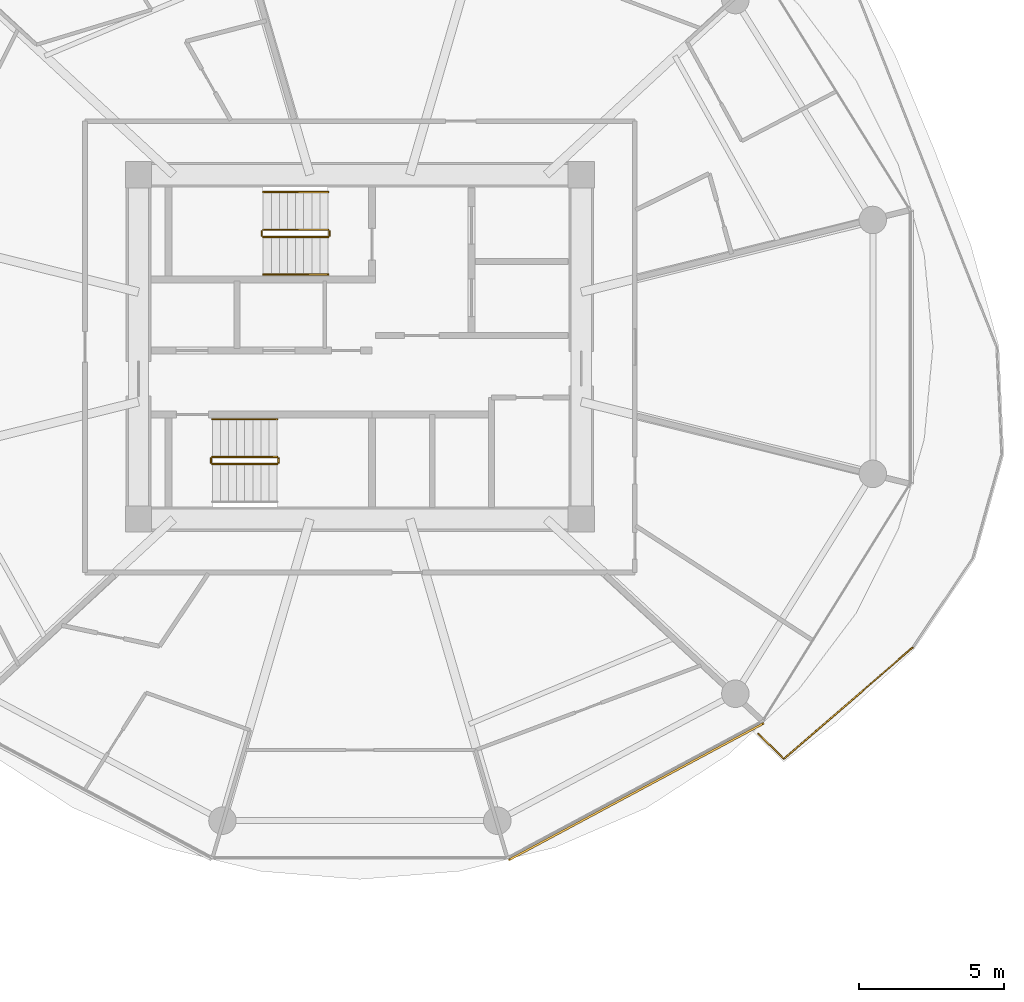
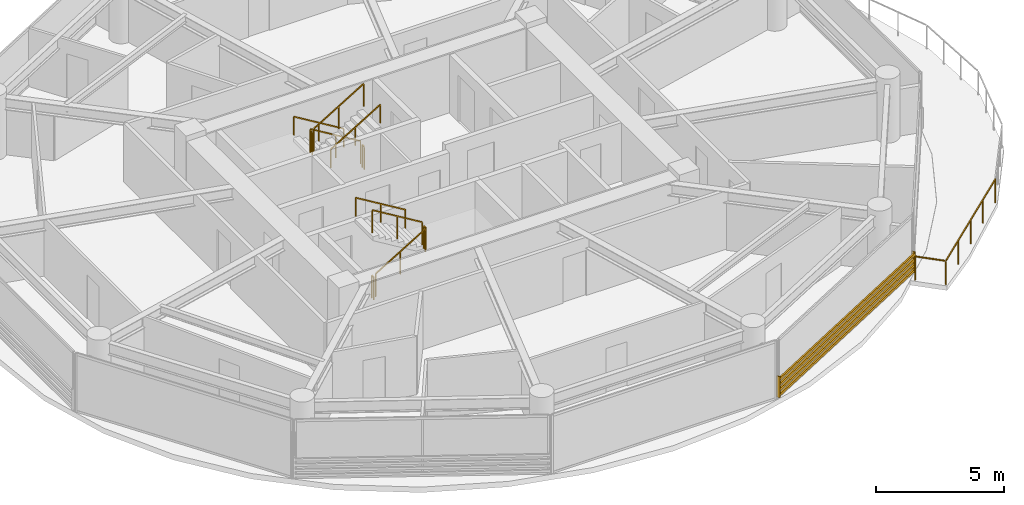
# One storey, part 26 of 27: 12 railings, 1 shading device.
"""IFC4 building model written with IfcOpenShell, lengths in metres."""

from ifc_helpers import new_model, si_unit, direction, frame, origin, origin_2d, place, context, subcontext, project, spatial, rectangle, extrude, source, transform, mapped, material, type_object, type_shapes, element, save


model = new_model("IFC4")

# Units and contexts
model_context = context("Model", 3, precision=1e-05, world=origin(), true_north=direction((0.0, 1.0)))
body_context = subcontext(model_context, "Body", "Model", "MODEL_VIEW")
ifc_project = project(units=[si_unit("LENGTHUNIT", "METRE"), si_unit("AREAUNIT", "SQUARE_METRE"), si_unit("VOLUMEUNIT", "CUBIC_METRE"), si_unit("PLANEANGLEUNIT", "RADIAN"), si_unit("MASSUNIT", "GRAM", prefix="KILO")], contexts=[model_context])

# Site, building, storey
site_placement = place(None, origin())
site = spatial("IfcSite", under=ifc_project, at=site_placement, CompositionType="ELEMENT")
building_placement = place(site_placement, origin())
building = spatial("IfcBuilding", under=site, at=building_placement, Name="Norrkilde Senior Care Towers", CompositionType="ELEMENT")
storey_placement = place(building_placement, frame((0.0, 0.0, 46.0)))
storey = spatial("IfcBuildingStorey", under=building, at=storey_placement, Name="L13", CompositionType="ELEMENT", Elevation=46.0)

# Railings
ifc_material_1 = material(Name="Anodised Aluminium", Category="aluminium")
railing_type_1 = type_object("IfcRailingType", Name="Balcony Swirl Ribbon Guardrail 1150", PredefinedType="GUARDRAIL", material=ifc_material_1)
railing_1_placement = place(storey_placement, frame((47.094482421875, -10.3955078125, 0.0)))
element("IfcRailing", 1, at=railing_1_placement, inside=storey, type_object=railing_type_1, Name="L13 Perimeter Safety Guard 01", PredefinedType="GUARDRAIL", context=body_context, shape_type="SweptSolid", body=[
    extrude(rectangle(XDim=0.048095703125, YDim=0.048095703125, at=origin_2d()), frame((0.0, 0.0, 1.1259765625), z_axis=(-0.756518232519, -0.65397260177, 0.0), x_axis=(0.65397260177, -0.756518232519, 0.0)), (0.0, 0.0, 1.0), 5.83251953125),
    extrude(rectangle(XDim=0.048095703125, YDim=0.048095703125, at=origin_2d()), frame((-4.47265625, -3.8125, 1.1259765625), z_axis=(-0.714384804286, 0.699753064591, 0.0), x_axis=(-0.699753064591, -0.714384804286, 0.0)), (0.0, 0.0, 1.0), 1.19384765625),
    extrude(rectangle(XDim=0.0419921875, YDim=0.0419921875, at=origin_2d()), origin(), (0.0, 0.0, 1.0), 1.099853515625),
    extrude(rectangle(XDim=0.0419921875, YDim=0.0419921875, at=origin_2d()), frame((-1.11083984375, -0.960205078125, 0.0)), (0.0, 0.0, 1.0), 1.099853515625),
    extrude(rectangle(XDim=0.0419921875, YDim=0.0419921875, at=origin_2d()), frame((-2.2216796875, -1.92041015625, 0.0)), (0.0, 0.0, 1.0), 1.099853515625),
    extrude(rectangle(XDim=0.0419921875, YDim=0.0419921875, at=origin_2d()), frame((-3.33251953125, -2.880859375, 0.0)), (0.0, 0.0, 1.0), 1.099853515625),
    extrude(rectangle(XDim=0.0419921875, YDim=0.0419921875, at=origin_2d()), frame((-4.443359375, -3.841064453125, 0.0)), (0.0, 0.0, 1.0), 1.099853515625),
    extrude(rectangle(XDim=0.0419921875, YDim=0.0419921875, at=origin_2d()), frame((-5.325439453125, -2.97705078125, 0.0)), (0.0, 0.0, 1.0), 1.099853515625),
])
ifc_material_2 = material(Name="Stainless Steel", Category="steel")
railing_type_2 = type_object("IfcRailingType", Name="Stair and Terrace Guardrail 1100", PredefinedType="GUARDRAIL", material=ifc_material_2)
railing_2_placement = place(storey_placement, frame((26.89990234375, 4.050048828125, 0.16943359375)))
element("IfcRailing", 2, at=railing_2_placement, inside=storey, type_object=railing_type_2, Name="L13 ST-E1 stair guard 1", PredefinedType="GUARDRAIL", context=body_context, shape_type="SweptSolid", body=[
    extrude(rectangle(XDim=0.048095703125, YDim=0.048095703125, at=origin_2d()), frame((0.0, 0.0, 1.076171875), z_axis=(-0.855553338991, 0.0, 0.51771467445), x_axis=(0.0, -1.0, 0.0)), (0.0, 0.0, 1.0), 2.6181640625),
    extrude(rectangle(XDim=0.0419921875, YDim=0.0419921875, at=origin_2d()), origin(), (0.0, 0.0, 1.0), 1.050048828125),
    extrude(rectangle(XDim=0.0419921875, YDim=0.0419921875, at=origin_2d()), frame((-1.1201171875, 0.0, 0.677734375)), (0.0, 0.0, 1.0), 1.050048828125),
    extrude(rectangle(XDim=0.0419921875, YDim=0.0419921875, at=origin_2d()), frame((-2.239990234375, 0.0, 1.35546875)), (0.0, 0.0, 1.0), 1.050048828125),
])
railing_3_placement = place(storey_placement, frame((24.610107421875, 4.0, 1.52490234375)))
element("IfcRailing", 3, at=railing_3_placement, inside=storey, type_object=railing_type_2, Name="L13 ST-E1 stair guard 2", PredefinedType="GUARDRAIL", context=body_context, shape_type="SweptSolid", body=[
    extrude(rectangle(XDim=0.048095703125, YDim=0.048095703125, at=origin_2d()), frame((0.0, 0.0, 1.076171875), z_axis=(0.0, -1.0, 0.0), x_axis=(1.0, 0.0, 0.0)), (0.0, 0.0, 1.0), 0.14990234375),
    extrude(rectangle(XDim=0.0419921875, YDim=0.0419921875, at=origin_2d()), origin(), (0.0, 0.0, 1.0), 1.050048828125),
    extrude(rectangle(XDim=0.0419921875, YDim=0.0419921875, at=origin_2d()), frame((0.0, -0.14990234375, 0.0)), (0.0, 0.0, 1.0), 1.050048828125),
])
railing_4_placement = place(storey_placement, frame((24.659912109375, 3.800048828125, 1.6943359375)))
element("IfcRailing", 4, at=railing_4_placement, inside=storey, type_object=railing_type_2, Name="L13 ST-E1 stair guard 3", PredefinedType="GUARDRAIL", context=body_context, shape_type="SweptSolid", body=[
    extrude(rectangle(XDim=0.048095703125, YDim=0.048095703125, at=origin_2d()), frame((0.0, 0.0, 1.076171875), z_axis=(0.855512035549, 0.0, 0.517782924622), x_axis=(0.0, 1.0, 0.0)), (0.0, 0.0, 1.0), 2.618408203125),
    extrude(rectangle(XDim=0.0419921875, YDim=0.0419921875, at=origin_2d()), origin(), (0.0, 0.0, 1.0), 1.050048828125),
    extrude(rectangle(XDim=0.0419921875, YDim=0.0419921875, at=origin_2d()), frame((1.1201171875, 0.0, 0.677734375)), (0.0, 0.0, 1.0), 1.050048828125),
    extrude(rectangle(XDim=0.0419921875, YDim=0.0419921875, at=origin_2d()), frame((2.239990234375, 0.0, 1.355712890625)), (0.0, 0.0, 1.0), 1.050048828125),
])
railing_5_placement = place(storey_placement, frame((26.949951171875, 4.0, 0.0)))
element("IfcRailing", 5, at=railing_5_placement, inside=storey, type_object=railing_type_2, Name="L13 ST-E1 stair guard 4", PredefinedType="GUARDRAIL", context=body_context, shape_type="SweptSolid", body=[
    extrude(rectangle(XDim=0.048095703125, YDim=0.048095703125, at=origin_2d()), frame((0.0, 0.0, 1.076171875), z_axis=(0.0, -1.0, 0.0), x_axis=(1.0, 0.0, 0.0)), (0.0, 0.0, 1.0), 0.14990234375),
    extrude(rectangle(XDim=0.0419921875, YDim=0.0419921875, at=origin_2d()), origin(), (0.0, 0.0, 1.0), 1.050048828125),
    extrude(rectangle(XDim=0.0419921875, YDim=0.0419921875, at=origin_2d()), frame((0.0, -0.14990234375, 0.0)), (0.0, 0.0, 1.0), 1.050048828125),
])
railing_6_placement = place(storey_placement, frame((22.89990234375, -4.050048828125, 0.16943359375)))
element("IfcRailing", 6, at=railing_6_placement, inside=storey, type_object=railing_type_2, Name="L13 ST-E2 stair guard 1", PredefinedType="GUARDRAIL", context=body_context, shape_type="SweptSolid", body=[
    extrude(rectangle(XDim=0.048095703125, YDim=0.048095703125, at=origin_2d()), frame((0.0, 0.0, 1.076171875), z_axis=(0.855553338991, 0.0, 0.51771467445), x_axis=(0.0, 1.0, 0.0)), (0.0, 0.0, 1.0), 2.6181640625),
    extrude(rectangle(XDim=0.0419921875, YDim=0.0419921875, at=origin_2d()), origin(), (0.0, 0.0, 1.0), 1.050048828125),
    extrude(rectangle(XDim=0.0419921875, YDim=0.0419921875, at=origin_2d()), frame((1.1201171875, 0.0, 0.677734375)), (0.0, 0.0, 1.0), 1.050048828125),
    extrude(rectangle(XDim=0.0419921875, YDim=0.0419921875, at=origin_2d()), frame((2.239990234375, 0.0, 1.35546875)), (0.0, 0.0, 1.0), 1.050048828125),
])
railing_7_placement = place(storey_placement, frame((25.18994140625, -4.0, 1.52490234375)))
element("IfcRailing", 7, at=railing_7_placement, inside=storey, type_object=railing_type_2, Name="L13 ST-E2 stair guard 2", PredefinedType="GUARDRAIL", context=body_context, shape_type="SweptSolid", body=[
    extrude(rectangle(XDim=0.048095703125, YDim=0.048095703125, at=origin_2d()), frame((0.0, 0.0, 1.076171875), z_axis=(0.0, 1.0, 0.0), x_axis=(-1.0, 0.0, 0.0)), (0.0, 0.0, 1.0), 0.14990234375),
    extrude(rectangle(XDim=0.0419921875, YDim=0.0419921875, at=origin_2d()), origin(), (0.0, 0.0, 1.0), 1.050048828125),
    extrude(rectangle(XDim=0.0419921875, YDim=0.0419921875, at=origin_2d()), frame((0.0, 0.14990234375, 0.0)), (0.0, 0.0, 1.0), 1.050048828125),
])
railing_8_placement = place(storey_placement, frame((25.139892578125, -3.800048828125, 1.6943359375)))
element("IfcRailing", 8, at=railing_8_placement, inside=storey, type_object=railing_type_2, Name="L13 ST-E2 stair guard 3", PredefinedType="GUARDRAIL", context=body_context, shape_type="SweptSolid", body=[
    extrude(rectangle(XDim=0.048095703125, YDim=0.048095703125, at=origin_2d()), frame((0.0, 0.0, 1.076171875), z_axis=(-0.855512035549, 0.0, 0.517782924622), x_axis=(0.0, -1.0, 0.0)), (0.0, 0.0, 1.0), 2.618408203125),
    extrude(rectangle(XDim=0.0419921875, YDim=0.0419921875, at=origin_2d()), origin(), (0.0, 0.0, 1.0), 1.050048828125),
    extrude(rectangle(XDim=0.0419921875, YDim=0.0419921875, at=origin_2d()), frame((-1.1201171875, 0.0, 0.677734375)), (0.0, 0.0, 1.0), 1.050048828125),
    extrude(rectangle(XDim=0.0419921875, YDim=0.0419921875, at=origin_2d()), frame((-2.239990234375, 0.0, 1.355712890625)), (0.0, 0.0, 1.0), 1.050048828125),
])
railing_9_placement = place(storey_placement, frame((22.85009765625, -4.0, 0.0)))
element("IfcRailing", 9, at=railing_9_placement, inside=storey, type_object=railing_type_2, Name="L13 ST-E2 stair guard 4", PredefinedType="GUARDRAIL", context=body_context, shape_type="SweptSolid", body=[
    extrude(rectangle(XDim=0.048095703125, YDim=0.048095703125, at=origin_2d()), frame((0.0, 0.0, 1.076171875), z_axis=(0.0, 1.0, 0.0), x_axis=(-1.0, 0.0, 0.0)), (0.0, 0.0, 1.0), 0.14990234375),
    extrude(rectangle(XDim=0.0419921875, YDim=0.0419921875, at=origin_2d()), origin(), (0.0, 0.0, 1.0), 1.050048828125),
    extrude(rectangle(XDim=0.0419921875, YDim=0.0419921875, at=origin_2d()), frame((0.0, 0.14990234375, 0.0)), (0.0, 0.0, 1.0), 1.050048828125),
])
ifc_material_3 = material(Name="Nordic Ash Timber", Category="wood")
railing_type_3 = type_object("IfcRailingType", Name="Wall and Stair Handrail 900", PredefinedType="HANDRAIL", material=ifc_material_3)
railing_10_placement = place(storey_placement, frame((26.89990234375, 5.35009765625, 0.16943359375)))
element("IfcRailing", 10, at=railing_10_placement, inside=storey, type_object=railing_type_3, Name="L13 ST-E1 stair handrail 1", PredefinedType="HANDRAIL", context=body_context, shape_type="SweptSolid", body=[
    extrude(rectangle(XDim=0.048095703125, YDim=0.048095703125, at=origin_2d()), frame((0.0, 0.0, 0.8759765625), z_axis=(-0.855553338991, 0.0, 0.51771467445), x_axis=(0.0, -1.0, 0.0)), (0.0, 0.0, 1.0), 2.6181640625),
    extrude(rectangle(XDim=0.0419921875, YDim=0.0419921875, at=origin_2d()), origin(), (0.0, 0.0, 1.0), 0.849853515625),
    extrude(rectangle(XDim=0.0419921875, YDim=0.0419921875, at=origin_2d()), frame((-1.1201171875, 0.0, 0.677734375)), (0.0, 0.0, 1.0), 0.849853515625),
    extrude(rectangle(XDim=0.0419921875, YDim=0.0419921875, at=origin_2d()), frame((-2.239990234375, 0.0, 1.35546875)), (0.0, 0.0, 1.0), 0.849853515625),
])
railing_11_placement = place(storey_placement, frame((24.659912109375, 2.5, 1.6943359375)))
element("IfcRailing", 11, at=railing_11_placement, inside=storey, type_object=railing_type_3, Name="L13 ST-E1 stair handrail 2", PredefinedType="HANDRAIL", context=body_context, shape_type="SweptSolid", body=[
    extrude(rectangle(XDim=0.048095703125, YDim=0.048095703125, at=origin_2d()), frame((0.0, 0.0, 0.8759765625), z_axis=(0.855512035549, 0.0, 0.517782924622), x_axis=(0.0, 1.0, 0.0)), (0.0, 0.0, 1.0), 2.618408203125),
    extrude(rectangle(XDim=0.0419921875, YDim=0.0419921875, at=origin_2d()), origin(), (0.0, 0.0, 1.0), 0.849853515625),
    extrude(rectangle(XDim=0.0419921875, YDim=0.0419921875, at=origin_2d()), frame((1.1201171875, 0.0, 0.677734375)), (0.0, 0.0, 1.0), 0.849853515625),
    extrude(rectangle(XDim=0.0419921875, YDim=0.0419921875, at=origin_2d()), frame((2.239990234375, 0.0, 1.355712890625)), (0.0, 0.0, 1.0), 0.849853515625),
])
railing_12_placement = place(storey_placement, frame((25.139892578125, -2.5, 1.6943359375)))
element("IfcRailing", 12, at=railing_12_placement, inside=storey, type_object=railing_type_3, Name="L13 ST-E2 stair handrail 2", PredefinedType="HANDRAIL", context=body_context, shape_type="SweptSolid", body=[
    extrude(rectangle(XDim=0.048095703125, YDim=0.048095703125, at=origin_2d()), frame((0.0, 0.0, 0.8759765625), z_axis=(-0.855512035549, 0.0, 0.517782924622), x_axis=(0.0, -1.0, 0.0)), (0.0, 0.0, 1.0), 2.618408203125),
    extrude(rectangle(XDim=0.0419921875, YDim=0.0419921875, at=origin_2d()), origin(), (0.0, 0.0, 1.0), 0.849853515625),
    extrude(rectangle(XDim=0.0419921875, YDim=0.0419921875, at=origin_2d()), frame((-1.1201171875, 0.0, 0.677734375)), (0.0, 0.0, 1.0), 0.849853515625),
    extrude(rectangle(XDim=0.0419921875, YDim=0.0419921875, at=origin_2d()), frame((-2.239990234375, 0.0, 1.355712890625)), (0.0, 0.0, 1.0), 0.849853515625),
])

# Shading device
ifc_material_4 = material(Name="Architectural Terracotta", Category="masonry")
shading_device_type = type_object("IfcShadingDeviceType", Name="Horizontal Terracotta Baguette Rack", PredefinedType="USERDEFINED", material=ifc_material_4)
shared_shape = source(origin(), body_context, "Body", "SweptSolid", [
    extrude(rectangle(XDim=0.070068359375, YDim=0.110107421875, at=origin_2d()), frame((0.0, 0.090087890625, 0.125), z_axis=(1.0, 0.0, 0.0), x_axis=(0.0, 1.0, 0.0)), (0.0, 0.0, 1.0), 10.0107421875),
    extrude(rectangle(XDim=0.070068359375, YDim=0.110107421875, at=origin_2d()), frame((0.0, 0.090087890625, 0.375), z_axis=(1.0, 0.0, 0.0), x_axis=(0.0, 1.0, 0.0)), (0.0, 0.0, 1.0), 10.0107421875),
    extrude(rectangle(XDim=0.070068359375, YDim=0.110107421875, at=origin_2d()), frame((0.0, 0.090087890625, 0.625), z_axis=(1.0, 0.0, 0.0), x_axis=(0.0, 1.0, 0.0)), (0.0, 0.0, 1.0), 10.0107421875),
    extrude(rectangle(XDim=0.070068359375, YDim=0.110107421875, at=origin_2d()), frame((0.0, 0.090087890625, 0.875), z_axis=(1.0, 0.0, 0.0), x_axis=(0.0, 1.0, 0.0)), (0.0, 0.0, 1.0), 10.0107421875),
    extrude(rectangle(XDim=0.050048828125, YDim=0.1552734375, at=origin_2d()), frame((0.02490234375, 0.047607421875, 0.0)), (0.0, 0.0, 1.0), 1.0),
    extrude(rectangle(XDim=0.050048828125, YDim=0.1552734375, at=origin_2d()), frame((9.98583984375, 0.047607421875, 0.0)), (0.0, 0.0, 1.0), 1.0),
])
type_shapes(shading_device_type, [shared_shape])
shading_device_placement = place(storey_placement, frame((41.915771484375, -12.926025390625, 0.080078125), z_axis=(0.0, 0.0, 1.0), x_axis=(-0.881279875134, -0.472612428056, 0.0)))
element("IfcShadingDevice", 13, at=shading_device_placement, inside=storey, type_object=shading_device_type, Name="L13 Drum E Terracotta Baguette Screen 09", ObjectType="BAGUETTE", PredefinedType="USERDEFINED", context=body_context, shape_type="MappedRepresentation", body=[
    mapped(shared_shape, transform((0.0, 0.0, 0.0), x_axis=(1.0, 0.0, 0.0), y_axis=(0.0, 1.0, 0.0), z_axis=(0.0, 0.0, 1.0), scale=1.0)),
])

save(model, "model.ifc")
